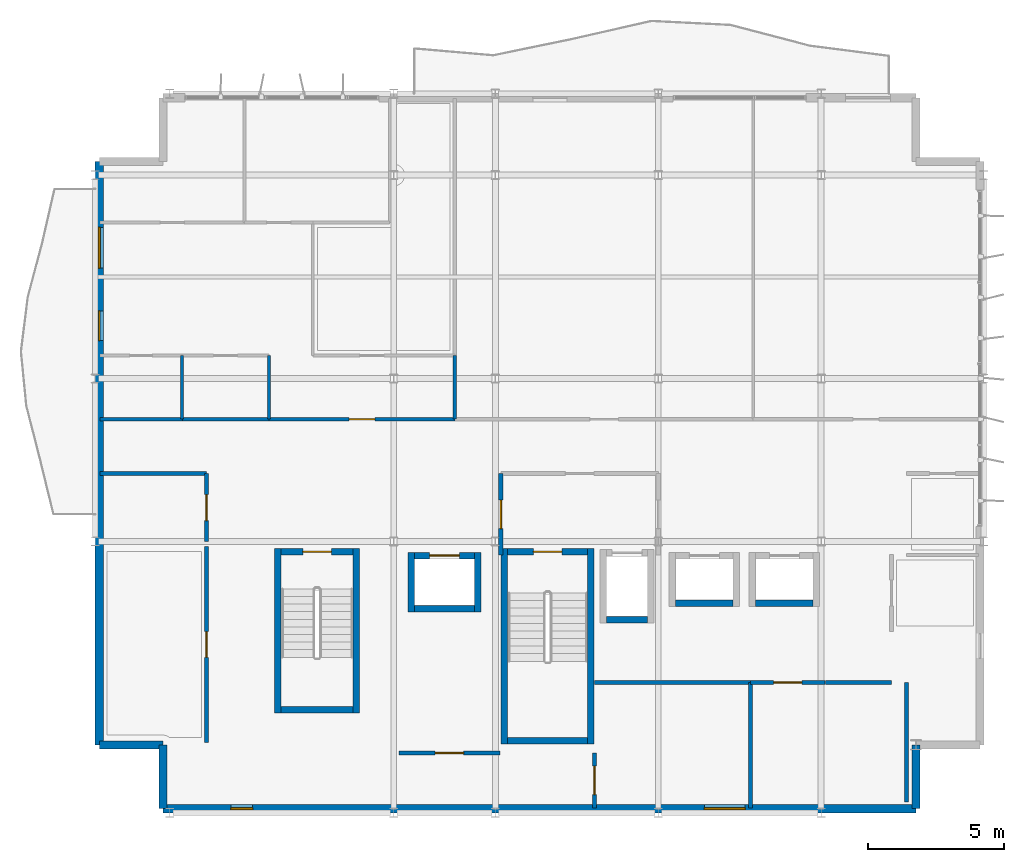
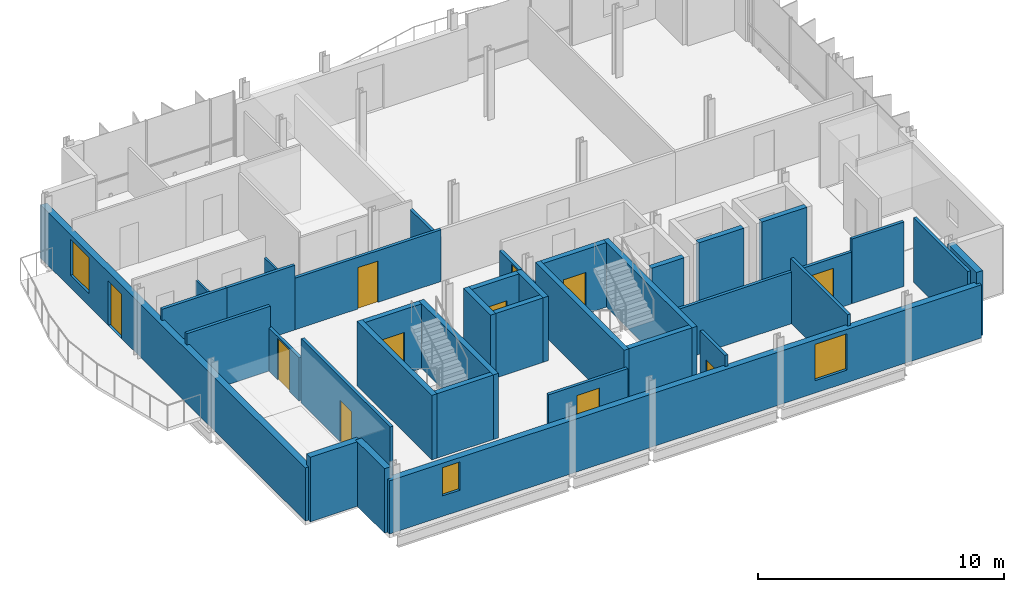
# One storey, part 8 of 12: 37 walls, 11 doors, 3 windows, 14 openings.
"""IFC4 building model written with IfcOpenShell, lengths in metres."""

from ifc_helpers import new_model, si_unit, direction, frame, frame_2d, origin, place, context, subcontext, project, spatial, rectangle, extrude, material, layer, layer_set, type_object, element, fill, save


model = new_model("IFC4")

# Units and contexts
model_context = context("Model", 3, precision=1e-05, world=origin(), true_north=direction((0.0, 1.0)))
body_context = subcontext(model_context, "Body", "Model", "MODEL_VIEW")
ifc_project = project(units=[si_unit("LENGTHUNIT", "METRE"), si_unit("AREAUNIT", "SQUARE_METRE"), si_unit("VOLUMEUNIT", "CUBIC_METRE"), si_unit("PLANEANGLEUNIT", "RADIAN"), si_unit("MASSUNIT", "GRAM", prefix="KILO")], contexts=[model_context])

# Site, building, storey
site_placement = place(None, origin())
site = spatial("IfcSite", under=ifc_project, at=site_placement, CompositionType="ELEMENT")
building_placement = place(site_placement, origin())
building = spatial("IfcBuilding", under=site, at=building_placement, Name="Brevholm Reach", CompositionType="ELEMENT")
storey_placement = place(building_placement, frame((0.0, 0.0, 236.60009765625)))
storey = spatial("IfcBuildingStorey", under=building, at=storey_placement, Name="L72", CompositionType="ELEMENT", Elevation=236.60009765625)

# Walls
ifc_material_1 = material(Name="Concrete C45/55", Category="concrete")
ifc_layer_1 = layer(ifc_material_1, 0.239990234375)
ifc_layer_set_1 = layer_set([ifc_layer_1], Name="Concrete C45/55")
wall_type_1 = type_object("IfcWallType", Name="WAL-COR-240", PredefinedType="SHEAR", material=ifc_layer_set_1)
for number, where, z_axis, x_axis, name in (
    (1, (42.330078125, 2.5400390625, 0.0), (0.0, 0.0, 1.0), (0.0, 1.0, 0.0), "L72 Escape Stair ST-2 Core Wall W"),
    (2, (45.52001953125, 2.5400390625, 0.0), (0.0, 0.0, 1.0), (0.0, 1.0, 0.0), "L72 Escape Stair ST-2 Core Wall E"),
):
    element("IfcWall", number, at=place(storey_placement, frame(where, z_axis=z_axis, x_axis=x_axis)), inside=storey, type_object=wall_type_1, Name=name, PredefinedType="SHEAR", context=body_context, shape_type="SweptSolid", body=[
        extrude(rectangle(XDim=7.199951171875, YDim=0.239990234375, at=frame_2d((3.60009765625, 0.0))), origin(), (0.0, 0.0, 1.0), 3.199951171875),
    ])
wall_1_placement = place(storey_placement, frame((42.449951171875, 2.659912109375, 0.0), z_axis=(0.0, 0.0, 1.0), x_axis=(1.0, 0.0, 0.0)))
element("IfcWall", 3, at=wall_1_placement, inside=storey, type_object=wall_type_1, Name="L72 Escape Stair ST-2 Core Wall S", PredefinedType="SHEAR", context=body_context, shape_type="SweptSolid", body=[
    extrude(rectangle(XDim=2.949951171875, YDim=0.239990234375, at=frame_2d((1.47509765625, 0.0))), origin(), (0.0, 0.0, 1.0), 3.199951171875),
])

# Wall, opening, door
wall_2_placement = place(storey_placement, frame((45.39990234375, 9.6201171875, 0.0), z_axis=(0.0, 0.0, 1.0), x_axis=(-1.0, 0.0, 0.0)))
wall_2 = element("IfcWall", 4, at=wall_2_placement, inside=storey, type_object=wall_type_1, Name="L72 Escape Stair ST-2 Core Wall N", PredefinedType="SHEAR", context=body_context, shape_type="SweptSolid", body=[
    extrude(rectangle(XDim=2.949951171875, YDim=0.239990234375, at=frame_2d((1.47509765625, 0.0))), origin(), (0.0, 0.0, 1.0), 3.199951171875),
])
opening_1_placement = place(wall_2_placement, frame((0.949951171875, 0.0, 0.0)))
opening_1 = element("IfcOpeningElement", 5, at=opening_1_placement, cuts=wall_2, Name="Opening SD-ST-2", PredefinedType="OPENING", context=body_context, shape_type="SweptSolid", body=[
    extrude(rectangle(XDim=1.050048828125, YDim=2.06005859375, at=frame_2d((0.52490234375, 1.030029296875))), frame((0.0, 0.1298828125, 0.0), z_axis=(0.0, -1.0, 0.0), x_axis=(1.0, 0.0, 0.0)), (0.0, 0.0, 1.0), 0.260009765625),
])
ifc_material_2 = material(Name="Hardwood-Lipped Steel-Core Fire and Smoke Door", Category="steel")
door_type_1 = type_object("IfcDoorType", Name="DOR-INT-FD60S", OperationType="NOTDEFINED", PredefinedType="DOOR", material=ifc_material_2)
door_1_placement = place(opening_1_placement, origin())
door_1 = element("IfcDoor", 6, at=door_1_placement, inside=storey, type_object=door_type_1, Name="L72 Protected Stair ST-2 Lobby Door", OperationType="SINGLE_SWING_LEFT", OverallHeight=2.06005859375, OverallWidth=1.050048828125, PredefinedType="DOOR", context=body_context, shape_type="SweptSolid", body=[
    extrude(rectangle(XDim=1.050048828125, YDim=2.06005859375, at=frame_2d((0.52490234375, 1.030029296875))), frame((0.0, 0.02490234375, 0.0), z_axis=(0.0, -1.0, 0.0), x_axis=(1.0, 0.0, 0.0)), (0.0, 0.0, 1.0), 0.050048828125),
])
fill(opening_1, door_1)

# Walls
for number, where, z_axis, x_axis, name in (
    (7, (33.97998046875, 3.679931640625, 0.0), (0.0, 0.0, 1.0), (0.0, 1.0, 0.0), "L72 Escape Stair ST-3 Core Wall W"),
    (8, (36.8701171875, 3.679931640625, 0.0), (0.0, 0.0, 1.0), (0.0, 1.0, 0.0), "L72 Escape Stair ST-3 Core Wall E"),
):
    element("IfcWall", number, at=place(storey_placement, frame(where, z_axis=z_axis, x_axis=x_axis)), inside=storey, type_object=wall_type_1, Name=name, PredefinedType="SHEAR", context=body_context, shape_type="SweptSolid", body=[
        extrude(rectangle(XDim=6.06005859375, YDim=0.239990234375, at=frame_2d((3.030029296875, 0.0))), origin(), (0.0, 0.0, 1.0), 3.199951171875),
    ])
wall_3_placement = place(storey_placement, frame((34.10009765625, 3.800048828125, 0.0), z_axis=(0.0, 0.0, 1.0), x_axis=(1.0, 0.0, 0.0)))
element("IfcWall", 9, at=wall_3_placement, inside=storey, type_object=wall_type_1, Name="L72 Escape Stair ST-3 Core Wall S", PredefinedType="SHEAR", context=body_context, shape_type="SweptSolid", body=[
    extrude(rectangle(XDim=2.64990234375, YDim=0.239990234375, at=frame_2d((1.324951171875, 0.0))), origin(), (0.0, 0.0, 1.0), 3.199951171875),
])

# Wall, opening, door
wall_4_placement = place(storey_placement, frame((36.75, 9.6201171875, 0.0), z_axis=(0.0, 0.0, 1.0), x_axis=(-1.0, 0.0, 0.0)))
wall_4 = element("IfcWall", 10, at=wall_4_placement, inside=storey, type_object=wall_type_1, Name="L72 Escape Stair ST-3 Core Wall N", PredefinedType="SHEAR", context=body_context, shape_type="SweptSolid", body=[
    extrude(rectangle(XDim=2.64990234375, YDim=0.239990234375, at=frame_2d((1.324951171875, 0.0))), origin(), (0.0, 0.0, 1.0), 3.199951171875),
])
opening_2_placement = place(wall_4_placement, frame((0.800048828125, 0.0, 0.0)))
opening_2 = element("IfcOpeningElement", 11, at=opening_2_placement, cuts=wall_4, Name="Opening SD-ST-3", PredefinedType="OPENING", context=body_context, shape_type="SweptSolid", body=[
    extrude(rectangle(XDim=1.050048828125, YDim=2.06005859375, at=frame_2d((0.52490234375, 1.030029296875))), frame((0.0, 0.1298828125, 0.0), z_axis=(0.0, -1.0, 0.0), x_axis=(1.0, 0.0, 0.0)), (0.0, 0.0, 1.0), 0.260009765625),
])
door_2_placement = place(opening_2_placement, origin())
door_2 = element("IfcDoor", 12, at=door_2_placement, inside=storey, type_object=door_type_1, Name="L72 Protected Stair ST-3 Lobby Door", OperationType="SINGLE_SWING_LEFT", OverallHeight=2.06005859375, OverallWidth=1.050048828125, PredefinedType="DOOR", context=body_context, shape_type="SweptSolid", body=[
    extrude(rectangle(XDim=1.050048828125, YDim=2.06005859375, at=frame_2d((0.52490234375, 1.030029296875))), frame((0.0, 0.02490234375, 0.0), z_axis=(0.0, -1.0, 0.0), x_axis=(1.0, 0.0, 0.0)), (0.0, 0.0, 1.0), 0.050048828125),
])
fill(opening_2, door_2)

# Walls
wall_5_placement = place(storey_placement, frame((46.090087890625, 7.1201171875, 0.0), z_axis=(0.0, 0.0, 1.0), x_axis=(1.0, 0.0, 0.0)))
element("IfcWall", 13, at=wall_5_placement, inside=storey, type_object=wall_type_1, Name="L72 Lift FFL-2 Shaft Wall S", PredefinedType="SHEAR", context=body_context, shape_type="SweptSolid", body=[
    extrude(rectangle(XDim=1.52001953125, YDim=0.239990234375, at=frame_2d((0.760009765625, 0.0))), origin(), (0.0, 0.0, 1.0), 3.199951171875),
])
for number, where, z_axis, x_axis, name in (
    (14, (38.889892578125, 7.39990234375, 0.0), (0.0, 0.0, 1.0), (0.0, 1.0, 0.0), "L72 Lift PL-S1 Shaft Wall W"),
    (15, (41.35009765625, 7.39990234375, 0.0), (0.0, 0.0, 1.0), (0.0, 1.0, 0.0), "L72 Lift PL-S1 Shaft Wall E"),
):
    element("IfcWall", number, at=place(storey_placement, frame(where, z_axis=z_axis, x_axis=x_axis)), inside=storey, type_object=wall_type_1, Name=name, PredefinedType="SHEAR", context=body_context, shape_type="SweptSolid", body=[
        extrude(rectangle(XDim=2.2001953125, YDim=0.239990234375, at=frame_2d((1.10009765625, 0.0))), origin(), (0.0, 0.0, 1.0), 3.199951171875),
    ])
wall_6_placement = place(storey_placement, frame((39.010009765625, 7.52001953125, 0.0), z_axis=(0.0, 0.0, 1.0), x_axis=(1.0, 0.0, 0.0)))
element("IfcWall", 16, at=wall_6_placement, inside=storey, type_object=wall_type_1, Name="L72 Lift PL-S1 Shaft Wall S", PredefinedType="SHEAR", context=body_context, shape_type="SweptSolid", body=[
    extrude(rectangle(XDim=2.219970703125, YDim=0.239990234375, at=frame_2d((1.10986328125, 0.0))), origin(), (0.0, 0.0, 1.0), 3.199951171875),
])

# Wall, opening, door
wall_7_placement = place(storey_placement, frame((39.010009765625, 9.47998046875, 0.0), z_axis=(0.0, 0.0, 1.0), x_axis=(1.0, 0.0, 0.0)))
wall_7 = element("IfcWall", 17, at=wall_7_placement, inside=storey, type_object=wall_type_1, Name="L72 Lift PL-S1 Shaft Wall N", PredefinedType="SHEAR", context=body_context, shape_type="SweptSolid", body=[
    extrude(rectangle(XDim=2.219970703125, YDim=0.239990234375, at=frame_2d((1.10986328125, 0.0))), origin(), (0.0, 0.0, 1.0), 3.199951171875),
])
opening_3_placement = place(wall_7_placement, frame((0.56005859375, 0.0, 0.0)))
opening_3 = element("IfcOpeningElement", 18, at=opening_3_placement, cuts=wall_7, Name="Opening LD-PL-S1", PredefinedType="OPENING", context=body_context, shape_type="SweptSolid", body=[
    extrude(rectangle(XDim=1.10009765625, YDim=2.06005859375, at=frame_2d((0.550048828125, 1.030029296875))), frame((0.0, 0.1298828125, 0.0), z_axis=(0.0, -1.0, 0.0), x_axis=(1.0, 0.0, 0.0)), (0.0, 0.0, 1.0), 0.260009765625),
])
ifc_material_3 = material(Name="Brushed Stainless Steel Fire-Rated Sliding Lift Door", Category="steel")
door_type_2 = type_object("IfcDoorType", Name="DOR-LFT-1100", OperationType="NOTDEFINED", PredefinedType="DOOR", material=ifc_material_3)
door_3_placement = place(opening_3_placement, origin())
door_3 = element("IfcDoor", 19, at=door_3_placement, inside=storey, type_object=door_type_2, Name="L72 Lift PL-S1 Sliding Landing Door", OperationType="SLIDING_TO_RIGHT", OverallHeight=2.06005859375, OverallWidth=1.10009765625, PredefinedType="DOOR", context=body_context, shape_type="SweptSolid", body=[
    extrude(rectangle(XDim=1.10009765625, YDim=2.06005859375, at=frame_2d((0.550048828125, 1.030029296875))), frame((0.0, 0.02490234375, 0.0), z_axis=(0.0, -1.0, 0.0), x_axis=(1.0, 0.0, 0.0)), (0.0, 0.0, 1.0), 0.050048828125),
])
fill(opening_3, door_3)

# Walls
wall_8_placement = place(storey_placement, frame((48.639892578125, 7.719970703125, 0.0), z_axis=(0.0, 0.0, 1.0), x_axis=(1.0, 0.0, 0.0)))
element("IfcWall", 20, at=wall_8_placement, inside=storey, type_object=wall_type_1, Name="L72 Lift PL-H1 Shaft Wall S", PredefinedType="SHEAR", context=body_context, shape_type="SweptSolid", body=[
    extrude(rectangle(XDim=2.1201171875, YDim=0.239990234375, at=frame_2d((1.06005859375, 0.0))), origin(), (0.0, 0.0, 1.0), 3.199951171875),
])
wall_9_placement = place(storey_placement, frame((51.590087890625, 7.719970703125, 0.0), z_axis=(0.0, 0.0, 1.0), x_axis=(1.0, 0.0, 0.0)))
element("IfcWall", 21, at=wall_9_placement, inside=storey, type_object=wall_type_1, Name="L72 Lift PL-H2 Shaft Wall S", PredefinedType="SHEAR", context=body_context, shape_type="SweptSolid", body=[
    extrude(rectangle(XDim=2.119873046875, YDim=0.239990234375, at=frame_2d((1.06005859375, 0.0))), origin(), (0.0, 0.0, 1.0), 3.199951171875),
])
ifc_material_4 = material(Name="Concrete C40/50", Category="concrete")
ifc_layer_2 = layer(ifc_material_4, 0.300048828125)
ifc_layer_set_2 = layer_set([ifc_layer_2], Name="Concrete C40/50")
wall_type_2 = type_object("IfcWallType", Name="WAL-EXT-300", PredefinedType="STANDARD", material=ifc_layer_set_2)
for number, where, z_axis, x_axis, name in (
    (22, (29.75, 2.5, 0.0), (0.0, 0.0, 1.0), (0.0, -1.0, 0.0), "L72 Facade Wall WAL-L72-CSW1"),
    (23, (27.39990234375, 2.5, 0.0), (0.0, 0.0, 1.0), (1.0, 0.0, 0.0), "L72 Facade Wall WAL-L72-CSW2"),
    (24, (57.5, 0.14990234375, 0.0), (0.0, 0.0, 1.0), (0.0, 1.0, 0.0), "L72 Facade Wall WAL-L72-CSE1"),
):
    element("IfcWall", number, at=place(storey_placement, frame(where, z_axis=z_axis, x_axis=x_axis)), inside=storey, type_object=wall_type_2, Name=name, PredefinedType="STANDARD", context=body_context, shape_type="SweptSolid", body=[
        extrude(rectangle(XDim=2.35009765625, YDim=0.300048828125, at=frame_2d((1.175048828125, 0.0))), origin(), (0.0, 0.0, 1.0), 3.199951171875),
    ])

# Wall, openings, windows
wall_10_placement = place(storey_placement, frame((29.75, 0.14990234375, 0.0), z_axis=(0.0, 0.0, 1.0), x_axis=(1.0, 0.0, 0.0)))
wall_10 = element("IfcWall", 25, at=wall_10_placement, inside=storey, type_object=wall_type_2, Name="L72 Facade Wall WAL-L72-S", PredefinedType="STANDARD", context=body_context, shape_type="SweptSolid", body=[
    extrude(rectangle(XDim=27.75, YDim=0.300048828125, at=frame_2d((13.875, 0.0))), origin(), (0.0, 0.0, 1.0), 2.635498046875),
])
opening_4_placement = place(wall_10_placement, frame((2.5, 0.0, 1.01611328125)))
opening_4 = element("IfcOpeningElement", 26, at=opening_4_placement, cuts=wall_10, Name="Opening WN-11", PredefinedType="OPENING", context=body_context, shape_type="SweptSolid", body=[
    extrude(rectangle(XDim=0.800048828125, YDim=1.39990234375, at=frame_2d((0.39990234375, 0.699951171875))), frame((0.0, 0.159912109375, 0.0), z_axis=(0.0, -1.0, 0.0), x_axis=(1.0, 0.0, 0.0)), (0.0, 0.0, 1.0), 0.320068359375),
])
opening_5_placement = place(wall_10_placement, frame((19.949951171875, 0.0, 0.615966796875)))
opening_5 = element("IfcOpeningElement", 27, at=opening_5_placement, cuts=wall_10, Name="Opening WN-05", PredefinedType="OPENING", context=body_context, shape_type="SweptSolid", body=[
    extrude(rectangle(XDim=1.5, YDim=1.800048828125, at=frame_2d((0.75, 0.89990234375))), frame((0.0, 0.159912109375, 0.0), z_axis=(0.0, -1.0, 0.0), x_axis=(1.0, 0.0, 0.0)), (0.0, 0.0, 1.0), 0.320068359375),
])
ifc_material_5 = material(Name="Dark Anodised Aluminium and Solar-Control IGU Glass", Category="aluminium")
window_type_1 = type_object("IfcWindowType", Name="WIN-COR-0800", PartitioningType="SINGLE_PANEL", PredefinedType="WINDOW", material=ifc_material_5)
window_1_placement = place(opening_4_placement, origin())
window_1 = element("IfcWindow", 28, at=window_1_placement, inside=storey, type_object=window_type_1, Name="L72 Window WIN-L72-S-1", OverallHeight=1.39990234375, OverallWidth=0.800048828125, PartitioningType="SINGLE_PANEL", PredefinedType="WINDOW", context=body_context, shape_type="SweptSolid", body=[
    extrude(rectangle(XDim=0.800048828125, YDim=1.39990234375, at=frame_2d((0.39990234375, 0.699951171875))), frame((0.0, 0.030029296875, 0.0), z_axis=(0.0, -1.0, 0.0), x_axis=(1.0, 0.0, 0.0)), (0.0, 0.0, 1.0), 0.06005859375),
])
fill(opening_4, window_1)
ifc_material_6 = material(Name="Dark Anodised Aluminium and Solar-Control IGU Glass", Category="aluminium")
window_type_2 = type_object("IfcWindowType", Name="WIN-RES-1500", PartitioningType="SINGLE_PANEL", PredefinedType="WINDOW", material=ifc_material_6)
window_2_placement = place(opening_5_placement, origin())
window_2 = element("IfcWindow", 29, at=window_2_placement, inside=storey, type_object=window_type_2, Name="L72 Window WIN-L72-S-2", OverallHeight=1.800048828125, OverallWidth=1.5, PartitioningType="SINGLE_PANEL", PredefinedType="WINDOW", context=body_context, shape_type="SweptSolid", body=[
    extrude(rectangle(XDim=1.5, YDim=1.800048828125, at=frame_2d((0.75, 0.89990234375))), frame((0.0, 0.030029296875, 0.0), z_axis=(0.0, -1.0, 0.0), x_axis=(1.0, 0.0, 0.0)), (0.0, 0.0, 1.0), 0.06005859375),
])
fill(opening_5, window_2)

# Wall, openings, door, window
wall_11_placement = place(storey_placement, frame((27.39990234375, 24.0, 0.0), z_axis=(0.0, 0.0, 1.0), x_axis=(0.0, -1.0, 0.0)))
wall_11 = element("IfcWall", 30, at=wall_11_placement, inside=storey, type_object=wall_type_2, Name="L72 Facade Wall WAL-L72-W", PredefinedType="STANDARD", context=body_context, shape_type="SweptSolid", body=[
    extrude(rectangle(XDim=21.5, YDim=0.300048828125, at=frame_2d((10.75, 0.0))), origin(), (0.0, 0.0, 1.0), 2.635498046875),
])
opening_6_placement = place(wall_11_placement, frame((5.5, 0.0, 0.0)))
opening_6 = element("IfcOpeningElement", 31, at=opening_6_placement, cuts=wall_11, Name="Opening BD-01", PredefinedType="OPENING", context=body_context, shape_type="SweptSolid", body=[
    extrude(rectangle(XDim=1.10009765625, YDim=2.199951171875, at=frame_2d((0.550048828125, 1.10009765625))), frame((0.0, 0.159912109375, 0.0), z_axis=(0.0, -1.0, 0.0), x_axis=(1.0, 0.0, 0.0)), (0.0, 0.0, 1.0), 0.320068359375),
])
opening_7_placement = place(wall_11_placement, frame((2.429931640625, 0.0, 0.615966796875)))
opening_7 = element("IfcOpeningElement", 32, at=opening_7_placement, cuts=wall_11, Name="Opening WN-05", PredefinedType="OPENING", context=body_context, shape_type="SweptSolid", body=[
    extrude(rectangle(XDim=1.5, YDim=1.800048828125, at=frame_2d((0.75, 0.89990234375))), frame((0.0, 0.159912109375, 0.0), z_axis=(0.0, -1.0, 0.0), x_axis=(1.0, 0.0, 0.0)), (0.0, 0.0, 1.0), 0.320068359375),
])
ifc_material_7 = material(Name="Dark Anodised Aluminium and Triple-Glazed Glass", Category="aluminium")
door_type_3 = type_object("IfcDoorType", Name="DOR-BALC-1100", OperationType="NOTDEFINED", PredefinedType="DOOR", material=ifc_material_7)
door_4_placement = place(opening_6_placement, origin())
door_4 = element("IfcDoor", 33, at=door_4_placement, inside=storey, type_object=door_type_3, Name="L72 Exterior Door DOR-L72-SLOT", OperationType="SINGLE_SWING_LEFT", OverallHeight=2.199951171875, OverallWidth=1.10009765625, PredefinedType="DOOR", context=body_context, shape_type="SweptSolid", body=[
    extrude(rectangle(XDim=1.10009765625, YDim=2.199951171875, at=frame_2d((0.550048828125, 1.10009765625))), frame((0.0, 0.02490234375, 0.0), z_axis=(0.0, -1.0, 0.0), x_axis=(1.0, 0.0, 0.0)), (0.0, 0.0, 1.0), 0.050048828125),
])
fill(opening_6, door_4)
window_3_placement = place(opening_7_placement, origin())
window_3 = element("IfcWindow", 34, at=window_3_placement, inside=storey, type_object=window_type_2, Name="L72 Window WIN-L72-W-1", OverallHeight=1.800048828125, OverallWidth=1.5, PartitioningType="SINGLE_PANEL", PredefinedType="WINDOW", context=body_context, shape_type="SweptSolid", body=[
    extrude(rectangle(XDim=1.5, YDim=1.800048828125, at=frame_2d((0.75, 0.89990234375))), frame((0.0, 0.030029296875, 0.0), z_axis=(0.0, -1.0, 0.0), x_axis=(1.0, 0.0, 0.0)), (0.0, 0.0, 1.0), 0.06005859375),
])
fill(opening_7, window_3)

# Walls
ifc_material_8 = material(Name="Moisture-Resistant Acoustic Gypsum Stud Partition 100 mm", Category="gypsum")
ifc_layer_3 = layer(ifc_material_8, 0.10009765625)
ifc_layer_set_3 = layer_set([ifc_layer_3], Name="Moisture-Resistant Acoustic Gypsum Stud Partition 100 mm")
wall_type_3 = type_object("IfcWallType", Name="WAL-PRT-100", PredefinedType="PARTITIONING", material=ifc_layer_set_3)
for number, where, z_axis, x_axis, name in (
    (35, (30.449951171875, 14.50390625, 0.0), (0.0, 0.0, 1.0), (0.0, 1.0, 0.0), "L72 Internal Partition 021"),
    (36, (33.64990234375, 14.50390625, 0.0), (0.0, 0.0, 1.0), (0.0, 1.0, 0.0), "L72 Internal Partition 023"),
):
    element("IfcWall", number, at=place(storey_placement, frame(where, z_axis=z_axis, x_axis=x_axis)), inside=storey, type_object=wall_type_3, Name=name, PredefinedType="PARTITIONING", context=body_context, shape_type="SweptSolid", body=[
        extrude(rectangle(XDim=2.34619140625, YDim=0.10009765625, at=frame_2d((1.173095703125, 0.0))), origin(), (0.0, 0.0, 1.0), 2.138671875),
    ])

# Wall, opening, door
ifc_material_9 = material(Name="Twin-Stud Acoustic Fire-Rated Gypsum Partition 140 mm", Category="gypsum")
ifc_layer_4 = layer(ifc_material_9, 0.139892578125)
ifc_layer_set_4 = layer_set([ifc_layer_4], Name="Twin-Stud Acoustic Fire-Rated Gypsum Partition 140 mm")
wall_type_4 = type_object("IfcWallType", Name="WAL-PRT-140", PredefinedType="PARTITIONING", material=ifc_layer_set_4)
wall_12_placement = place(storey_placement, frame((31.35009765625, 2.588623046875, 0.0), z_axis=(0.0, 0.0, 1.0), x_axis=(0.0, 1.0, 0.0)))
wall_12 = element("IfcWall", 37, at=wall_12_placement, inside=storey, type_object=wall_type_4, Name="L72 Internal Partition 001", PredefinedType="PARTITIONING", context=body_context, shape_type="SweptSolid", body=[
    extrude(rectangle(XDim=7.22265625, YDim=0.139892578125, at=frame_2d((3.611328125, 0.0))), origin(), (0.0, 0.0, 1.0), 3.199951171875),
])
opening_8_placement = place(wall_12_placement, frame((3.13623046875, 0.0, 0.0)))
opening_8 = element("IfcOpeningElement", 38, at=opening_8_placement, cuts=wall_12, Name="Opening ID-30", PredefinedType="OPENING", context=body_context, shape_type="SweptSolid", body=[
    extrude(rectangle(XDim=0.949951171875, YDim=2.050048828125, at=frame_2d((0.47509765625, 1.02490234375))), frame((0.0, 0.079833984375, 0.0), z_axis=(0.0, -1.0, 0.0), x_axis=(1.0, 0.0, 0.0)), (0.0, 0.0, 1.0), 0.159912109375),
])
ifc_material_10 = material(Name="European Oak Veneered Solid-Core Fire Entrance Door", Category="timber")
door_type_4 = type_object("IfcDoorType", Name="DOR-FLT-FD30S", OperationType="NOTDEFINED", PredefinedType="DOOR", material=ifc_material_10)
door_5_placement = place(opening_8_placement, origin())
door_5 = element("IfcDoor", 39, at=door_5_placement, inside=storey, type_object=door_type_4, Name="L72 Internal Door 001", OperationType="SINGLE_SWING_LEFT", OverallHeight=2.050048828125, OverallWidth=0.949951171875, PredefinedType="DOOR", context=body_context, shape_type="SweptSolid", body=[
    extrude(rectangle(XDim=0.949951171875, YDim=2.050048828125, at=frame_2d((0.47509765625, 1.02490234375))), frame((0.0, 0.02490234375, 0.0), z_axis=(0.0, -1.0, 0.0), x_axis=(1.0, 0.0, 0.0)), (0.0, 0.0, 1.0), 0.050048828125),
])
fill(opening_8, door_5)

wall_13_placement = place(storey_placement, frame((31.35009765625, 9.98876953125, 0.0), z_axis=(0.0, 0.0, 1.0), x_axis=(0.0, 1.0, 0.0)))
wall_13 = element("IfcWall", 40, at=wall_13_placement, inside=storey, type_object=wall_type_4, Name="L72 Internal Partition 002", PredefinedType="PARTITIONING", context=body_context, shape_type="SweptSolid", body=[
    extrude(rectangle(XDim=2.51123046875, YDim=0.139892578125, at=frame_2d((1.255615234375, 0.0))), origin(), (0.0, 0.0, 1.0), 2.138671875),
])
opening_9_placement = place(wall_13_placement, frame((0.78076171875, 0.0, 0.0)))
opening_9 = element("IfcOpeningElement", 41, at=opening_9_placement, cuts=wall_13, Name="Opening ID-30", PredefinedType="OPENING", context=body_context, shape_type="SweptSolid", body=[
    extrude(rectangle(XDim=0.949951171875, YDim=2.050048828125, at=frame_2d((0.47509765625, 1.02490234375))), frame((0.0, 0.079833984375, 0.0), z_axis=(0.0, -1.0, 0.0), x_axis=(1.0, 0.0, 0.0)), (0.0, 0.0, 1.0), 0.159912109375),
])
door_6_placement = place(opening_9_placement, origin())
door_6 = element("IfcDoor", 42, at=door_6_placement, inside=storey, type_object=door_type_4, Name="L72 Internal Door 002", OperationType="SINGLE_SWING_RIGHT", OverallHeight=2.050048828125, OverallWidth=0.949951171875, PredefinedType="DOOR", context=body_context, shape_type="SweptSolid", body=[
    extrude(rectangle(XDim=0.949951171875, YDim=2.050048828125, at=frame_2d((0.47509765625, 1.02490234375))), frame((0.0, 0.02490234375, 0.0), z_axis=(0.0, -1.0, 0.0), x_axis=(1.0, 0.0, 0.0)), (0.0, 0.0, 1.0), 0.050048828125),
])
fill(opening_9, door_6)

wall_14_placement = place(storey_placement, frame((38.438720703125, 2.199951171875, 0.0), z_axis=(0.0, 0.0, 1.0), x_axis=(1.0, 0.0, 0.0)))
wall_14 = element("IfcWall", 43, at=wall_14_placement, inside=storey, type_object=wall_type_4, Name="L72 Internal Partition 003", PredefinedType="PARTITIONING", context=body_context, shape_type="SweptSolid", body=[
    extrude(rectangle(XDim=3.72265625, YDim=0.139892578125, at=frame_2d((1.861328125, 0.0))), origin(), (0.0, 0.0, 1.0), 2.562744140625),
])
opening_10_placement = place(wall_14_placement, frame((1.336181640625, 0.0, 0.0)))
opening_10 = element("IfcOpeningElement", 44, at=opening_10_placement, cuts=wall_14, Name="Opening FD-01", PredefinedType="OPENING", context=body_context, shape_type="SweptSolid", body=[
    extrude(rectangle(XDim=1.050048828125, YDim=2.06005859375, at=frame_2d((0.52490234375, 1.030029296875))), frame((0.0, 0.079833984375, 0.0), z_axis=(0.0, -1.0, 0.0), x_axis=(1.0, 0.0, 0.0)), (0.0, 0.0, 1.0), 0.159912109375),
])
door_7_placement = place(opening_10_placement, origin())
door_7 = element("IfcDoor", 45, at=door_7_placement, inside=storey, type_object=door_type_1, Name="L72 Internal Door 003", OperationType="SINGLE_SWING_LEFT", OverallHeight=2.06005859375, OverallWidth=1.050048828125, PredefinedType="DOOR", context=body_context, shape_type="SweptSolid", body=[
    extrude(rectangle(XDim=1.050048828125, YDim=2.06005859375, at=frame_2d((0.52490234375, 1.030029296875))), frame((0.0, 0.02490234375, 0.0), z_axis=(0.0, -1.0, 0.0), x_axis=(1.0, 0.0, 0.0)), (0.0, 0.0, 1.0), 0.050048828125),
])
fill(opening_10, door_7)

wall_15_placement = place(storey_placement, frame((45.64990234375, 0.179931640625, 0.0), z_axis=(0.0, 0.0, 1.0), x_axis=(0.0, 1.0, 0.0)))
wall_15 = element("IfcWall", 46, at=wall_15_placement, inside=storey, type_object=wall_type_4, Name="L72 Internal Partition 004", PredefinedType="PARTITIONING", context=body_context, shape_type="SweptSolid", body=[
    extrude(rectangle(XDim=2.02001953125, YDim=0.139892578125, at=frame_2d((1.010009765625, 0.0))), origin(), (0.0, 0.0, 1.0), 3.199951171875),
])
opening_11_placement = place(wall_15_placement, frame((0.485107421875, 0.0, 0.0)))
opening_11 = element("IfcOpeningElement", 47, at=opening_11_placement, cuts=wall_15, Name="Opening FD-01", PredefinedType="OPENING", context=body_context, shape_type="SweptSolid", body=[
    extrude(rectangle(XDim=1.050048828125, YDim=2.06005859375, at=frame_2d((0.52490234375, 1.030029296875))), frame((0.0, 0.079833984375, 0.0), z_axis=(0.0, -1.0, 0.0), x_axis=(1.0, 0.0, 0.0)), (0.0, 0.0, 1.0), 0.159912109375),
])
door_8_placement = place(opening_11_placement, origin())
door_8 = element("IfcDoor", 48, at=door_8_placement, inside=storey, type_object=door_type_1, Name="L72 Internal Door 004", OperationType="SINGLE_SWING_RIGHT", OverallHeight=2.06005859375, OverallWidth=1.050048828125, PredefinedType="DOOR", context=body_context, shape_type="SweptSolid", body=[
    extrude(rectangle(XDim=1.050048828125, YDim=2.06005859375, at=frame_2d((0.52490234375, 1.030029296875))), frame((0.0, 0.02490234375, 0.0), z_axis=(0.0, -1.0, 0.0), x_axis=(1.0, 0.0, 0.0)), (0.0, 0.0, 1.0), 0.050048828125),
])
fill(opening_11, door_8)

# Wall
wall_16_placement = place(storey_placement, frame((45.64990234375, 4.800048828125, 0.0), z_axis=(0.0, 0.0, 1.0), x_axis=(1.0, 0.0, 0.0)))
element("IfcWall", 49, at=wall_16_placement, inside=storey, type_object=wall_type_4, Name="L72 Internal Partition 005", PredefinedType="PARTITIONING", context=body_context, shape_type="SweptSolid", body=[
    extrude(rectangle(XDim=5.761474609375, YDim=0.139892578125, at=frame_2d((2.880859375, 0.0))), origin(), (0.0, 0.0, 1.0), 2.562744140625),
])

# Wall, opening, door
wall_17_placement = place(storey_placement, frame((51.392578125, 4.800048828125, 0.0), z_axis=(0.0, 0.0, 1.0), x_axis=(1.0, 0.0, 0.0)))
wall_17 = element("IfcWall", 50, at=wall_17_placement, inside=storey, type_object=wall_type_4, Name="L72 Internal Partition 006", PredefinedType="PARTITIONING", context=body_context, shape_type="SweptSolid", body=[
    extrude(rectangle(XDim=2.75732421875, YDim=0.139892578125, at=frame_2d((1.378662109375, 0.0))), origin(), (0.0, 0.0, 1.0), 2.562744140625),
])
opening_12_placement = place(wall_17_placement, frame((0.853759765625, 0.0, 0.0)))
opening_12 = element("IfcOpeningElement", 51, at=opening_12_placement, cuts=wall_17, Name="Opening FD-01", PredefinedType="OPENING", context=body_context, shape_type="SweptSolid", body=[
    extrude(rectangle(XDim=1.050048828125, YDim=2.06005859375, at=frame_2d((0.52490234375, 1.030029296875))), frame((0.0, 0.079833984375, 0.0), z_axis=(0.0, -1.0, 0.0), x_axis=(1.0, 0.0, 0.0)), (0.0, 0.0, 1.0), 0.159912109375),
])
door_9_placement = place(opening_12_placement, origin())
door_9 = element("IfcDoor", 52, at=door_9_placement, inside=storey, type_object=door_type_1, Name="L72 Internal Door 005", OperationType="SINGLE_SWING_LEFT", OverallHeight=2.06005859375, OverallWidth=1.050048828125, PredefinedType="DOOR", context=body_context, shape_type="SweptSolid", body=[
    extrude(rectangle(XDim=1.050048828125, YDim=2.06005859375, at=frame_2d((0.52490234375, 1.030029296875))), frame((0.0, 0.02490234375, 0.0), z_axis=(0.0, -1.0, 0.0), x_axis=(1.0, 0.0, 0.0)), (0.0, 0.0, 1.0), 0.050048828125),
])
fill(opening_12, door_9)

# Walls
wall_18_placement = place(storey_placement, frame((54.154052734375, 4.800048828125, 0.0), z_axis=(0.0, 0.0, 1.0), x_axis=(1.0, 0.0, 0.0)))
element("IfcWall", 53, at=wall_18_placement, inside=storey, type_object=wall_type_4, Name="L72 Internal Partition 007", PredefinedType="PARTITIONING", context=body_context, shape_type="SweptSolid", body=[
    extrude(rectangle(XDim=2.446044921875, YDim=0.139892578125, at=frame_2d((1.22314453125, 0.0))), origin(), (0.0, 0.0, 1.0), 3.199951171875),
])
wall_19_placement = place(storey_placement, frame((51.39990234375, 0.179931640625, 0.0), z_axis=(0.0, 0.0, 1.0), x_axis=(0.0, 1.0, 0.0)))
element("IfcWall", 54, at=wall_19_placement, inside=storey, type_object=wall_type_4, Name="L72 Internal Partition 009", PredefinedType="PARTITIONING", context=body_context, shape_type="SweptSolid", body=[
    extrude(rectangle(XDim=4.615966796875, YDim=0.139892578125, at=frame_2d((2.30810546875, 0.0))), origin(), (0.0, 0.0, 1.0), 3.199951171875),
])
wall_20_placement = place(storey_placement, frame((27.429931640625, 12.5, 0.0), z_axis=(0.0, 0.0, 1.0), x_axis=(1.0, 0.0, 0.0)))
element("IfcWall", 55, at=wall_20_placement, inside=storey, type_object=wall_type_4, Name="L72 Internal Partition 015", PredefinedType="PARTITIONING", context=body_context, shape_type="SweptSolid", body=[
    extrude(rectangle(XDim=3.916015625, YDim=0.139892578125, at=frame_2d((1.9580078125, 0.0))), origin(), (0.0, 0.0, 1.0), 3.199951171875),
])
wall_21_placement = place(storey_placement, frame((27.429931640625, 14.5, 0.0), z_axis=(0.0, 0.0, 1.0), x_axis=(1.0, 0.0, 0.0)))
element("IfcWall", 56, at=wall_21_placement, inside=storey, type_object=wall_type_4, Name="L72 Internal Partition 016", PredefinedType="PARTITIONING", context=body_context, shape_type="SweptSolid", body=[
    extrude(rectangle(XDim=3.03125, YDim=0.139892578125, at=frame_2d((1.515625, 0.0))), origin(), (0.0, 0.0, 1.0), 3.199951171875),
])
wall_22_placement = place(storey_placement, frame((30.442626953125, 14.5, 0.0), z_axis=(0.0, 0.0, 1.0), x_axis=(1.0, 0.0, 0.0)))
element("IfcWall", 57, at=wall_22_placement, inside=storey, type_object=wall_type_4, Name="L72 Internal Partition 017", PredefinedType="PARTITIONING", context=body_context, shape_type="SweptSolid", body=[
    extrude(rectangle(XDim=3.21875, YDim=0.139892578125, at=frame_2d((1.609375, 0.0))), origin(), (0.0, 0.0, 1.0), 3.199951171875),
])

# Wall, opening, door
wall_23_placement = place(storey_placement, frame((33.642578125, 14.5, 0.0), z_axis=(0.0, 0.0, 1.0), x_axis=(1.0, 0.0, 0.0)))
wall_23 = element("IfcWall", 58, at=wall_23_placement, inside=storey, type_object=wall_type_4, Name="L72 Internal Partition 018", PredefinedType="PARTITIONING", context=body_context, shape_type="SweptSolid", body=[
    extrude(rectangle(XDim=6.86865234375, YDim=0.139892578125, at=frame_2d((3.434326171875, 0.0))), origin(), (0.0, 0.0, 1.0), 2.562744140625),
])
opening_13_placement = place(wall_23_placement, frame((2.959228515625, 0.0, 0.0)))
opening_13 = element("IfcOpeningElement", 59, at=opening_13_placement, cuts=wall_23, Name="Opening ID-30", PredefinedType="OPENING", context=body_context, shape_type="SweptSolid", body=[
    extrude(rectangle(XDim=0.949951171875, YDim=2.050048828125, at=frame_2d((0.47509765625, 1.02490234375))), frame((0.0, 0.079833984375, 0.0), z_axis=(0.0, -1.0, 0.0), x_axis=(1.0, 0.0, 0.0)), (0.0, 0.0, 1.0), 0.159912109375),
])
door_10_placement = place(opening_13_placement, origin())
door_10 = element("IfcDoor", 60, at=door_10_placement, inside=storey, type_object=door_type_4, Name="L72 Internal Door 011", OperationType="SINGLE_SWING_LEFT", OverallHeight=2.050048828125, OverallWidth=0.949951171875, PredefinedType="DOOR", context=body_context, shape_type="SweptSolid", body=[
    extrude(rectangle(XDim=0.949951171875, YDim=2.050048828125, at=frame_2d((0.47509765625, 1.02490234375))), frame((0.0, 0.02490234375, 0.0), z_axis=(0.0, -1.0, 0.0), x_axis=(1.0, 0.0, 0.0)), (0.0, 0.0, 1.0), 0.050048828125),
])
fill(opening_13, door_10)

# Walls
wall_24_placement = place(storey_placement, frame((40.5, 14.50390625, 0.0), z_axis=(0.0, 0.0, 1.0), x_axis=(0.0, 1.0, 0.0)))
element("IfcWall", 61, at=wall_24_placement, inside=storey, type_object=wall_type_4, Name="L72 Internal Partition 033", PredefinedType="PARTITIONING", context=body_context, shape_type="SweptSolid", body=[
    extrude(rectangle(XDim=2.342041015625, YDim=0.139892578125, at=frame_2d((1.1708984375, 0.0))), origin(), (0.0, 0.0, 1.0), 2.138671875),
])
wall_25_placement = place(storey_placement, frame((57.14990234375, 0.389892578125, 0.0), z_axis=(0.0, 0.0, 1.0), x_axis=(0.0, 1.0, 0.0)))
element("IfcWall", 62, at=wall_25_placement, inside=storey, type_object=wall_type_4, Name="L72 Internal Partition 035", PredefinedType="PARTITIONING", context=body_context, shape_type="SweptSolid", body=[
    extrude(rectangle(XDim=4.41015625, YDim=0.139892578125, at=frame_2d((2.205078125, 0.0))), origin(), (0.0, 0.0, 1.0), 3.199951171875),
])

# Wall, opening, door
ifc_material_11 = material(Name="Twin-Frame Fire-Rated Gypsum Board and Mineral Wool 160 mm", Category="gypsum")
ifc_layer_5 = layer(ifc_material_11, 0.159912109375)
ifc_layer_set_5 = layer_set([ifc_layer_5], Name="Twin-Frame Fire-Rated Gypsum Board and Mineral Wool 160 mm")
wall_type_5 = type_object("IfcWallType", Name="WAL-PRT-160", PredefinedType="PARTITIONING", material=ifc_layer_set_5)
wall_26_placement = place(storey_placement, frame((42.199951171875, 9.5, 0.0), z_axis=(0.0, 0.0, 1.0), x_axis=(0.0, 1.0, 0.0)))
wall_26 = element("IfcWall", 63, at=wall_26_placement, inside=storey, type_object=wall_type_5, Name="L72 Internal Partition 010", PredefinedType="PARTITIONING", context=body_context, shape_type="SweptSolid", body=[
    extrude(rectangle(XDim=3.0, YDim=0.159912109375, at=frame_2d((1.5, 0.0))), origin(), (0.0, 0.0, 1.0), 2.138671875),
])
opening_14_placement = place(wall_26_placement, frame((0.97509765625, 0.0, 0.0)))
opening_14 = element("IfcOpeningElement", 64, at=opening_14_placement, cuts=wall_26, Name="Opening FD-01", PredefinedType="OPENING", context=body_context, shape_type="SweptSolid", body=[
    extrude(rectangle(XDim=1.050048828125, YDim=2.06005859375, at=frame_2d((0.52490234375, 1.030029296875))), frame((0.0, 0.08984375, 0.0), z_axis=(0.0, -1.0, 0.0), x_axis=(1.0, 0.0, 0.0)), (0.0, 0.0, 1.0), 0.179931640625),
])
door_11_placement = place(opening_14_placement, origin())
door_11 = element("IfcDoor", 65, at=door_11_placement, inside=storey, type_object=door_type_1, Name="L72 Internal Door 007", OperationType="SINGLE_SWING_LEFT", OverallHeight=2.06005859375, OverallWidth=1.050048828125, PredefinedType="DOOR", context=body_context, shape_type="SweptSolid", body=[
    extrude(rectangle(XDim=1.050048828125, YDim=2.06005859375, at=frame_2d((0.52490234375, 1.030029296875))), frame((0.0, 0.02490234375, 0.0), z_axis=(0.0, -1.0, 0.0), x_axis=(1.0, 0.0, 0.0)), (0.0, 0.0, 1.0), 0.050048828125),
])
fill(opening_14, door_11)

save(model, "model.ifc")
